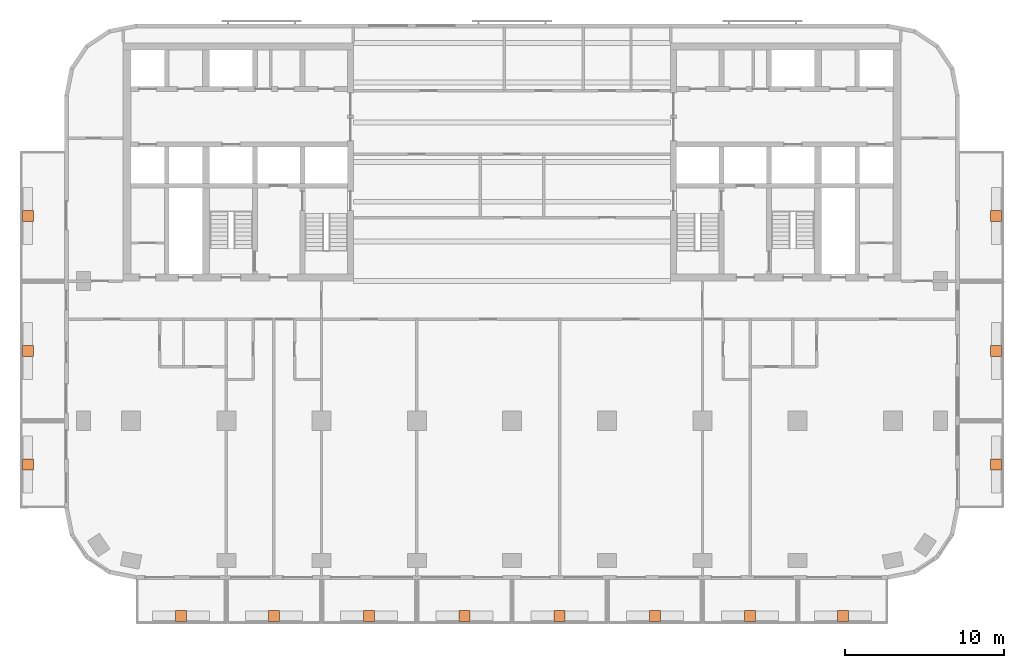
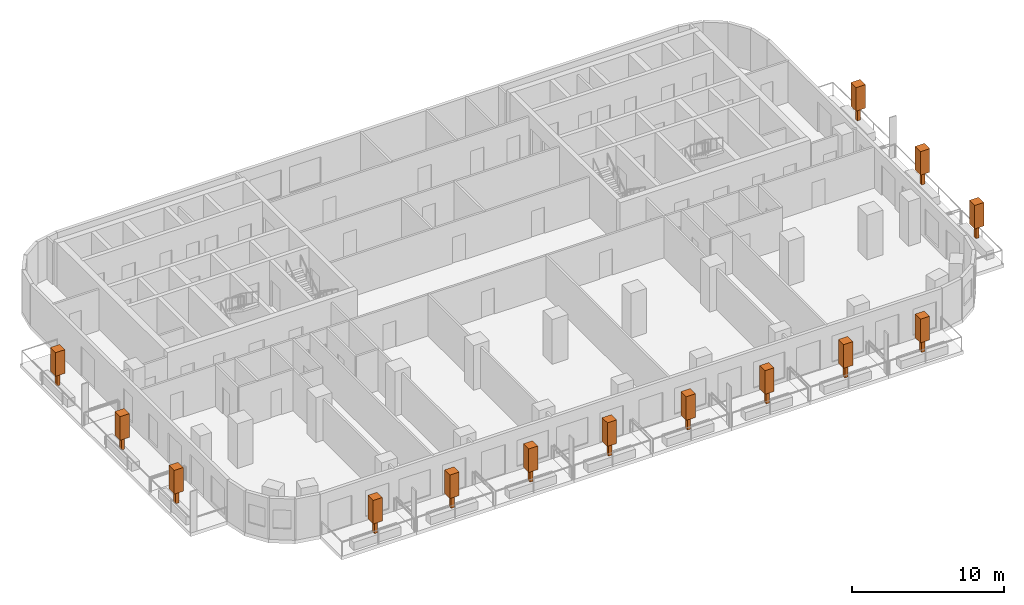
# One storey, part 11 of 11: 14 geographic elements.
"""IFC4 building model written with IfcOpenShell, lengths in metres."""

from ifc_helpers import new_model, si_unit, direction, frame, origin, origin_2d, place, context, subcontext, project, spatial, rectangle, extrude, material, element, save


model = new_model("IFC4")

# Units and contexts
model_context = context("Model", 3, precision=1e-05, world=origin(), true_north=direction((0.0, 1.0)))
body_context = subcontext(model_context, "Body", "Model", "MODEL_VIEW")
ifc_project = project(units=[si_unit("LENGTHUNIT", "METRE"), si_unit("AREAUNIT", "SQUARE_METRE"), si_unit("VOLUMEUNIT", "CUBIC_METRE"), si_unit("PLANEANGLEUNIT", "RADIAN"), si_unit("MASSUNIT", "GRAM", prefix="KILO")], contexts=[model_context])

# Site, building, storey
site_placement = place(None, origin())
site = spatial("IfcSite", under=ifc_project, at=site_placement, CompositionType="ELEMENT")
building_placement = place(site_placement, origin())
building = spatial("IfcBuilding", under=site, at=building_placement, Name="Torana Hotel and Residences", CompositionType="ELEMENT")
storey_placement = place(building_placement, frame((0.0, 0.0, 134.39990234375)))
storey = spatial("IfcBuildingStorey", under=building, at=storey_placement, Name="L34", CompositionType="ELEMENT", Elevation=134.39990234375)

# Geographic elements
ifc_material = material(Name="Foliage", Category="planting")
for number, where, z_axis, x_axis, name in (
    (1, (-20.85009765625, -36.10009765625, 0.650146484375), (0.0, 0.0, 1.0), (1.0, 0.0, 0.0), "Tree 01"),
    (2, (-15.0, -36.10009765625, 0.650146484375), (0.0, 0.0, 1.0), (1.0, 0.0, 0.0), "Tree 02"),
    (3, (-9.0, -36.10009765625, 0.650146484375), (0.0, 0.0, 1.0), (1.0, 0.0, 0.0), "Tree 03"),
    (4, (-3.0, -36.10009765625, 0.650146484375), (0.0, 0.0, 1.0), (1.0, 0.0, 0.0), "Tree 04"),
    (5, (3.0, -36.10009765625, 0.650146484375), (0.0, 0.0, 1.0), (1.0, 0.0, 0.0), "Tree 05"),
    (6, (9.0, -36.10009765625, 0.650146484375), (0.0, 0.0, 1.0), (1.0, 0.0, 0.0), "Tree 06"),
    (7, (15.0, -36.10009765625, 0.650146484375), (0.0, 0.0, 1.0), (1.0, 0.0, 0.0), "Tree 07"),
    (8, (20.85009765625, -36.10009765625, 0.650146484375), (0.0, 0.0, 1.0), (1.0, 0.0, 0.0), "Tree 08"),
    (9, (-30.5, -26.550048828125, 0.650146484375), (0.0, 0.0, 1.0), (1.0, 0.0, 0.0), "Tree 09"),
    (10, (-30.5, -19.39990234375, 0.650146484375), (0.0, 0.0, 1.0), (1.0, 0.0, 0.0), "Tree 10"),
    (11, (-30.5, -10.89990234375, 0.650146484375), (0.0, 0.0, 1.0), (1.0, 0.0, 0.0), "Tree 11"),
    (12, (30.5, -26.550048828125, 0.650146484375), (0.0, 0.0, 1.0), (1.0, 0.0, 0.0), "Tree 12"),
    (13, (30.5, -19.39990234375, 0.650146484375), (0.0, 0.0, 1.0), (1.0, 0.0, 0.0), "Tree 13"),
    (14, (30.5, -10.89990234375, 0.650146484375), (0.0, 0.0, 1.0), (1.0, 0.0, 0.0), "Tree 14"),
):
    element("IfcGeographicElement", number, at=place(storey_placement, frame(where, z_axis=z_axis, x_axis=x_axis)), inside=storey, material=ifc_material, Name=name, ObjectType="TREE", PredefinedType="USERDEFINED", context=body_context, shape_type="SweptSolid", body=[
        extrude(rectangle(XDim=0.25, YDim=0.25, at=origin_2d()), origin(), (0.0, 0.0, 1.0), 1.0),
        extrude(rectangle(XDim=0.699951171875, YDim=0.699951171875, at=origin_2d()), frame((0.0, 0.0, 1.0)), (0.0, 0.0, 1.0), 1.89990234375),
    ])

save(model, "model.ifc")
